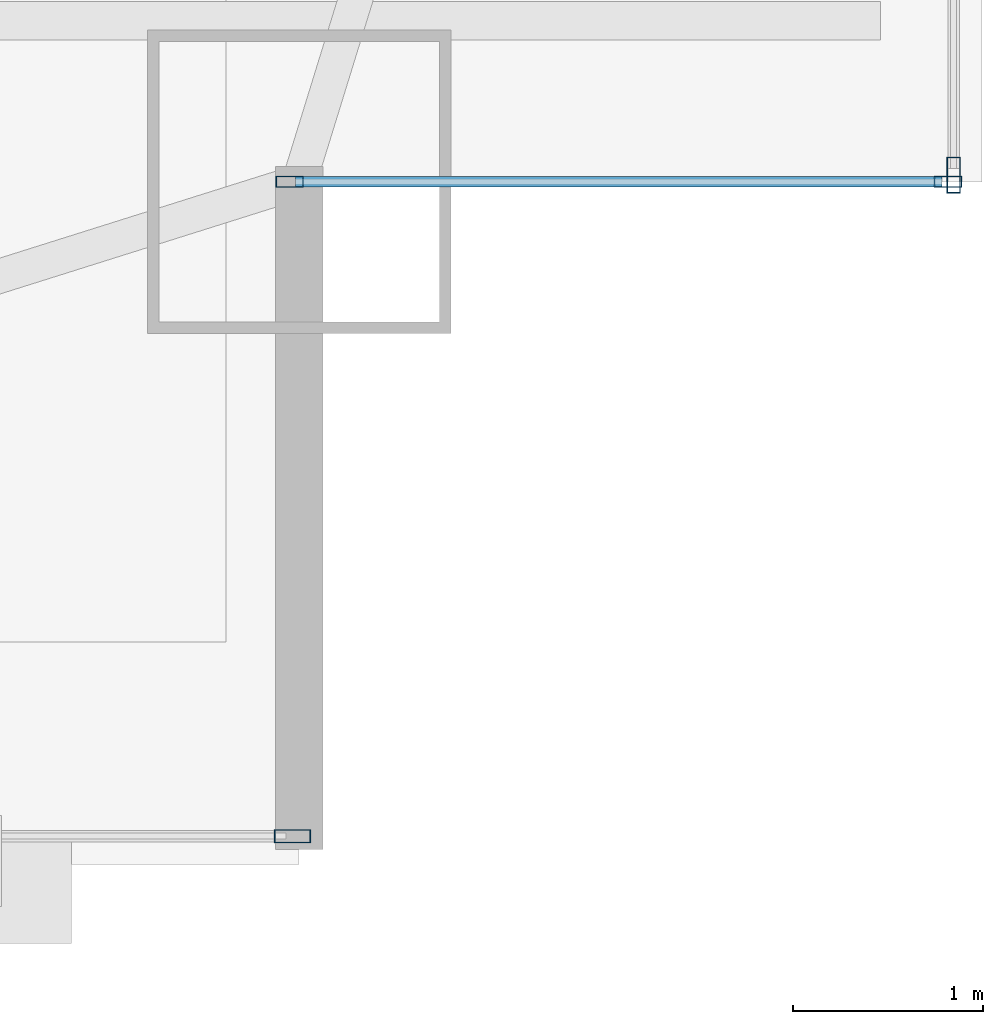
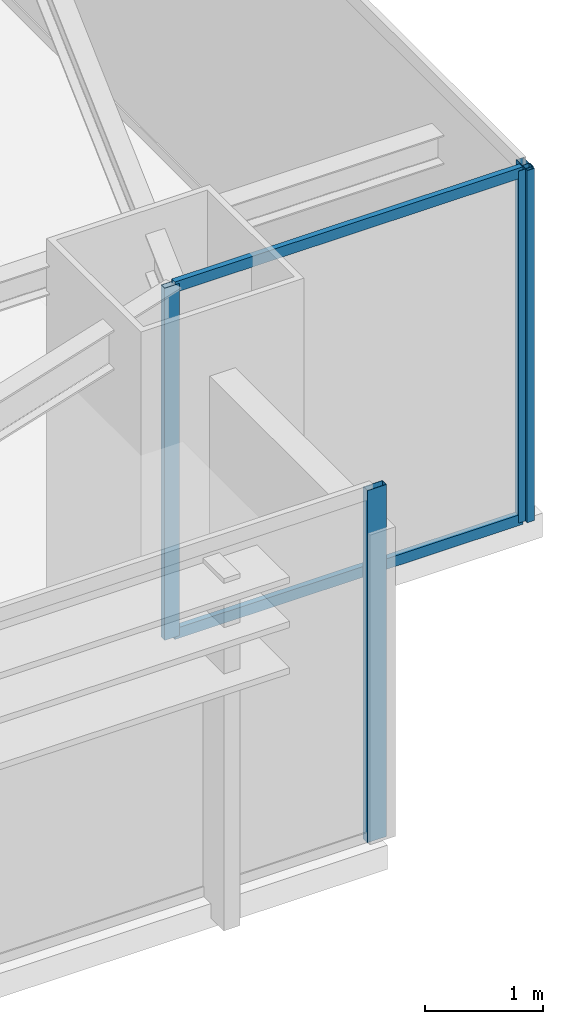
# One storey, part 14 of 31: 6 members, 3 elements without a shape of their own.
"""IFC4 building model written with IfcOpenShell, lengths in metres."""

from ifc_helpers import new_model, si_unit, direction, frame, origin, origin_2d, place, context, subcontext, project, spatial, hollow_rectangle, extrude, source, transform, mapped, material, layer, layer_set, material_profile, profile_set, type_object, type_shapes, element, aggregate, save


model = new_model("IFC4")

# Units and contexts
model_context = context("Model", 3, precision=1e-05, world=origin(), true_north=direction((0.0, 1.0)))
body_context = subcontext(model_context, "Body", "Model", "MODEL_VIEW")
ifc_project = project(units=[si_unit("LENGTHUNIT", "METRE"), si_unit("AREAUNIT", "SQUARE_METRE"), si_unit("VOLUMEUNIT", "CUBIC_METRE"), si_unit("PLANEANGLEUNIT", "RADIAN"), si_unit("MASSUNIT", "GRAM", prefix="KILO")], contexts=[model_context])

# Site, building, storey
site_placement = place(None, origin())
site = spatial("IfcSite", under=ifc_project, at=site_placement, CompositionType="ELEMENT")
building_placement = place(site_placement, origin())
building = spatial("IfcBuilding", under=site, at=building_placement, Name="Varnel Quay Broadcast Tower", CompositionType="ELEMENT")
storey_placement = place(building_placement, frame((0.0, 0.0, 35.39990234375)))
storey = spatial("IfcBuildingStorey", under=building, at=storey_placement, Name="L07", CompositionType="ELEMENT", Elevation=35.39990234375)

# Curtain wall, members
ifc_material = material(Name="Anodised Bronze Aluminium 6063-T6", Category="aluminium")
ifc_layer_1 = layer(ifc_material, 0.18994140625, Name="Anodised Bronze Aluminium 6063-T6")
ifc_layer_set_1 = layer_set([ifc_layer_1], Name="Anodised Bronze Aluminium 6063-T6")
curtain_wall_type_1 = type_object("IfcCurtainWallType", Name="CW_NotchCorner", PredefinedType="NOTDEFINED", material=ifc_layer_set_1)
curtain_wall_1_placement = place(storey_placement, origin())
curtain_wall_1 = element("IfcCurtainWall", 1, at=curtain_wall_1_placement, inside=storey, type_object=curtain_wall_type_1, Name="L07 SE Notch Curtain Wall", PredefinedType="NOTDEFINED")
ifc_material_profile_1 = material_profile(ifc_material, hollow_rectangle(XDim=0.054931640625, YDim=0.110107421875, WallThickness=0.0029296875, at=origin_2d()), Name="ALU55X110X3")
ifc_profile_set_1 = profile_set([ifc_material_profile_1], Name="Anodised Bronze Aluminium 6063-T6")
member_type_1 = type_object("IfcMemberType", Name="Tran_CWS-04", PredefinedType="USERDEFINED", material=ifc_profile_set_1)
shared_shape_1 = source(origin(), body_context, "Body", "SweptSolid", [
    extrude(hollow_rectangle(XDim=0.054931640625, YDim=0.110107421875, WallThickness=0.0029296875, at=origin_2d()), origin(), (0.0, 0.0, 1.0), 3.41015625),
])
type_shapes(member_type_1, [shared_shape_1])
member_1_placement = place(storey_placement, frame((62.3798828125, 4.800048828125, 0.027587890625), z_axis=(1.0, 0.0, 0.0), x_axis=(0.0, 1.0, 0.0)))
member_1 = element("IfcMember", 2, at=member_1_placement, type_object=member_type_1, Name="CWS-04 transom 1.1", ObjectType="TRANSOM", PredefinedType="USERDEFINED", context=body_context, shape_type="MappedRepresentation", body=[
    mapped(shared_shape_1, transform((0.0, 0.0, 0.0), x_axis=(1.0, 0.0, 0.0), y_axis=(0.0, 1.0, 0.0), z_axis=(0.0, 0.0, 1.0), scale=1.0)),
])
member_2_placement = place(storey_placement, frame((62.3798828125, 4.800048828125, 3.62255859375), z_axis=(1.0, 0.0, 0.0), x_axis=(0.0, 1.0, 0.0)))
member_2 = element("IfcMember", 3, at=member_2_placement, type_object=member_type_1, Name="CWS-04 transom 1.2", ObjectType="TRANSOM", PredefinedType="USERDEFINED", context=body_context, shape_type="MappedRepresentation", body=[
    mapped(shared_shape_1, transform((0.0, 0.0, 0.0), x_axis=(1.0, 0.0, 0.0), y_axis=(0.0, 1.0, 0.0), z_axis=(0.0, 0.0, 1.0), scale=1.0)),
])

# Curtain wall, member
ifc_layer_2 = layer(ifc_material, 0.18994140625, Name="Anodised Bronze Aluminium 6063-T6")
ifc_layer_set_2 = layer_set([ifc_layer_2], Name="Anodised Bronze Aluminium 6063-T6")
curtain_wall_type_2 = type_object("IfcCurtainWallType", Name="CW_LowerTower", PredefinedType="NOTDEFINED", material=ifc_layer_set_2)
curtain_wall_2_placement = place(storey_placement, origin())
curtain_wall_2 = element("IfcCurtainWall", 4, at=curtain_wall_2_placement, inside=storey, type_object=curtain_wall_type_2, Name="L07 South Unitised Curtain Wall 3", PredefinedType="NOTDEFINED")
ifc_material_profile_2 = material_profile(ifc_material, hollow_rectangle(XDim=0.070068359375, YDim=0.18994140625, WallThickness=0.00390625, at=origin_2d()), Name="ALU70X190X4")
ifc_profile_set_2 = profile_set([ifc_material_profile_2], Name="Anodised Bronze Aluminium 6063-T6")
member_type_2 = type_object("IfcMemberType", Name="Mull_CWS-02", PredefinedType="MULLION", material=ifc_profile_set_2)
shared_shape_2 = source(origin(), body_context, "Body", "SweptSolid", [
    extrude(hollow_rectangle(XDim=0.070068359375, YDim=0.18994140625, WallThickness=0.00390625, at=origin_2d()), origin(), (0.0, 0.0, 1.0), 3.650146484375),
])
type_shapes(member_type_2, [shared_shape_2])
member_3_placement = place(storey_placement, frame((62.364990234375, 1.35009765625, 0.0), z_axis=(0.0, 0.0, 1.0), x_axis=(0.0, 1.0, 0.0)))
member_3 = element("IfcMember", 5, at=member_3_placement, type_object=member_type_2, Name="CWS-02 mullion 2", PredefinedType="MULLION", context=body_context, shape_type="MappedRepresentation", body=[
    mapped(shared_shape_2, transform((0.0, 0.0, 0.0), x_axis=(1.0, 0.0, 0.0), y_axis=(0.0, 1.0, 0.0), z_axis=(0.0, 0.0, 1.0), scale=1.0)),
])
aggregate(curtain_wall_2, [member_3])

curtain_wall_3_placement = place(storey_placement, origin())
curtain_wall_3 = element("IfcCurtainWall", 6, at=curtain_wall_3_placement, inside=storey, type_object=curtain_wall_type_2, Name="L07 East Unitised Curtain Wall", PredefinedType="NOTDEFINED")
member_4_placement = place(storey_placement, frame((65.85009765625, 4.8349609375, 0.0), z_axis=(0.0, 0.0, 1.0), x_axis=(-1.0, 0.0, 0.0)))
member_4 = element("IfcMember", 7, at=member_4_placement, type_object=member_type_2, Name="CWS-02 mullion 1", PredefinedType="MULLION", context=body_context, shape_type="MappedRepresentation", body=[
    mapped(shared_shape_2, transform((0.0, 0.0, 0.0), x_axis=(1.0, 0.0, 0.0), y_axis=(0.0, 1.0, 0.0), z_axis=(0.0, 0.0, 1.0), scale=1.0)),
])
aggregate(curtain_wall_3, [member_4])

# Member
ifc_material_profile_3 = material_profile(ifc_material, hollow_rectangle(XDim=0.06005859375, YDim=0.14501953125, WallThickness=0.00341796875, at=origin_2d()), Name="ALU60X145X3.5")
ifc_profile_set_3 = profile_set([ifc_material_profile_3], Name="Anodised Bronze Aluminium 6063-T6")
member_type_3 = type_object("IfcMemberType", Name="Mull_CWS-04", PredefinedType="MULLION", material=ifc_profile_set_3)
shared_shape_3 = source(origin(), body_context, "Body", "SweptSolid", [
    extrude(hollow_rectangle(XDim=0.06005859375, YDim=0.14501953125, WallThickness=0.00341796875, at=origin_2d()), origin(), (0.0, 0.0, 1.0), 3.650146484375),
])
type_shapes(member_type_3, [shared_shape_3])
member_5_placement = place(storey_placement, frame((62.35009765625, 4.800048828125, 0.0), z_axis=(0.0, 0.0, 1.0), x_axis=(0.0, 1.0, 0.0)))
member_5 = element("IfcMember", 8, at=member_5_placement, type_object=member_type_3, Name="CWS-04 mullion 1", PredefinedType="MULLION", context=body_context, shape_type="MappedRepresentation", body=[
    mapped(shared_shape_3, transform((0.0, 0.0, 0.0), x_axis=(1.0, 0.0, 0.0), y_axis=(0.0, 1.0, 0.0), z_axis=(0.0, 0.0, 1.0), scale=1.0)),
])

member_6_placement = place(storey_placement, frame((65.820068359375, 4.800048828125, 0.0), z_axis=(0.0, 0.0, 1.0), x_axis=(0.0, 1.0, 0.0)))
member_6 = element("IfcMember", 9, at=member_6_placement, type_object=member_type_3, Name="CWS-04 mullion 2", PredefinedType="MULLION", context=body_context, shape_type="MappedRepresentation", body=[
    mapped(shared_shape_3, transform((0.0, 0.0, 0.0), x_axis=(1.0, 0.0, 0.0), y_axis=(0.0, 1.0, 0.0), z_axis=(0.0, 0.0, 1.0), scale=1.0)),
])

aggregate(curtain_wall_1, [member_5, member_6, member_1, member_2])

save(model, "model.ifc")
